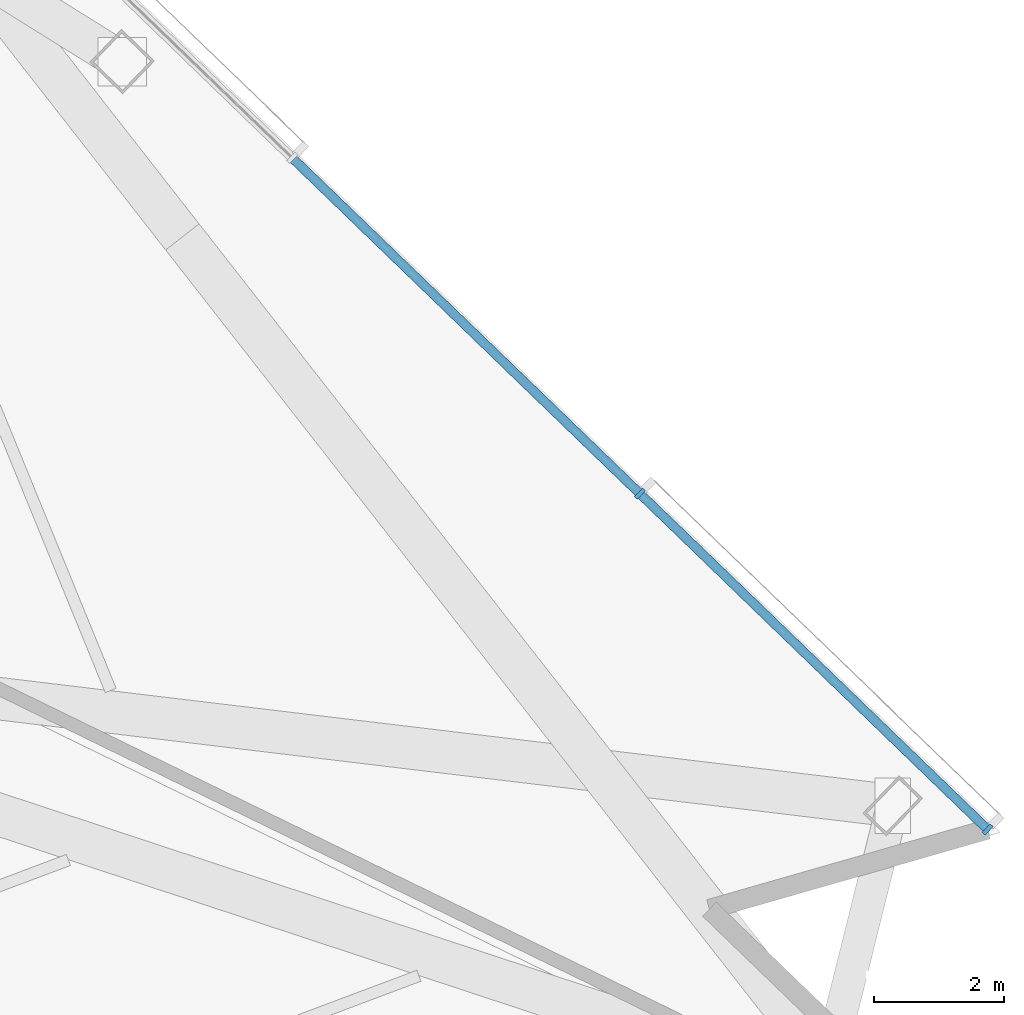
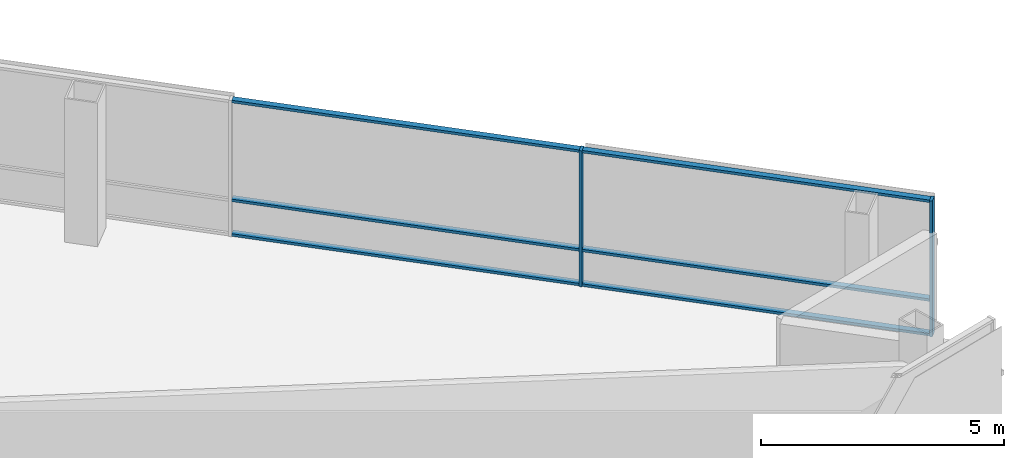
# One storey, part 7 of 21: 8 members, 1 element without a shape of its own.
"""IFC4 building model written with IfcOpenShell, lengths in metres."""

import ifcopenshell
import ifcopenshell.guid

model = None  # the IFC model being written
_history = None  # IfcOwnerHistory: only IFC2X3 demands one
_inside = {}  # id of a spatial element -> (the spatial element, [elements in it])
_under = {}  # id of a project, library or spatial element -> (it, [spatial elements below it])
_declared = {}  # id of a project -> (the project, [libraries it declares])
_typed = {}  # id of a type object -> (the type object, [elements of that type])
_made_of = {}  # id of a material, layer set ... -> (it, [elements and type objects made of it])


def new_model(schema):
    """Start an empty IFC model of exactly this schema.

    Asked for "IFC4X3", IfcOpenShell would pick the latest addendum, in which some entities
    have other attributes; the version numbers below select the first issue.
    IFC2X3 requires an IfcOwnerHistory on every rooted entity: one is made here for all.
    """
    global model, _history
    if schema == "IFC4X3":
        model = ifcopenshell.file(schema_version=(4, 3, 0, 0))
    else:
        model = ifcopenshell.file(schema=schema)
    _inside.clear()
    _under.clear()
    _declared.clear()
    _typed.clear()
    _made_of.clear()
    _history = None
    if model.schema == "IFC2X3":
        org = make("IfcOrganization", Name="unknown")
        user = make(
            "IfcPersonAndOrganization",
            ThePerson=make("IfcPerson", FamilyName="unknown"),
            TheOrganization=org,
        )
        app = make(
            "IfcApplication",
            ApplicationDeveloper=org,
            Version="unknown",
            ApplicationFullName="unknown",
            ApplicationIdentifier="unknown",
        )
        _history = make(
            "IfcOwnerHistory",
            OwningUser=user,
            OwningApplication=app,
            ChangeAction="ADDED",
            CreationDate=0,
        )
    return model


def make(cls, **values):
    """One entity of the class cls with the attributes given. An attribute that is None is left unset."""
    return model.create_entity(
        cls, **{name: value for name, value in values.items() if value is not None}
    )


def rooted(cls, **values):
    """An entity with a GlobalId (a new one), such as an element, a storey or a relation."""
    return make(cls, GlobalId=ifcopenshell.guid.new(), OwnerHistory=_history, **values)


def si_unit(unit_type, name, prefix=None):
    """IfcSIUnit, for example si_unit("LENGTHUNIT", "METRE", prefix="MILLI")."""
    return make("IfcSIUnit", UnitType=unit_type, Prefix=prefix, Name=name)


def assignment(units):
    """IfcUnitAssignment: the units of a project."""
    return None if units is None else make("IfcUnitAssignment", Units=units)


def point(xyz):
    """IfcCartesianPoint."""
    return None if xyz is None else make("IfcCartesianPoint", Coordinates=xyz)


def direction(xyz):
    """IfcDirection."""
    return None if xyz is None else make("IfcDirection", DirectionRatios=xyz)


def frame(location, z_axis=None, x_axis=None):
    """IfcAxis2Placement3D, a coordinate frame: its origin and axes. An axis left out is left unset."""
    return make(
        "IfcAxis2Placement3D",
        Location=point(location),
        Axis=direction(z_axis),
        RefDirection=direction(x_axis),
    )


def frame_2d(location, x_axis=None):
    """IfcAxis2Placement2D, a coordinate frame in the plane: its origin and x axis."""
    return make(
        "IfcAxis2Placement2D", Location=point(location), RefDirection=direction(x_axis)
    )


def origin():
    """The frame at (0, 0, 0) with its axes left unset."""
    return frame((0.0, 0.0, 0.0))


def origin_2d():
    """The frame at (0, 0) in the plane with its x axis left unset."""
    return frame_2d((0.0, 0.0))


def place(relative_to, where):
    """IfcLocalPlacement: puts the frame where relative to a parent placement (None: the world)."""
    return make(
        "IfcLocalPlacement", PlacementRelTo=relative_to, RelativePlacement=where
    )


def context(
    kind, dimensions, precision=None, world=None, true_north=None, identifier=None
):
    """IfcGeometricRepresentationContext, for example the 3D "Model" context."""
    return make(
        "IfcGeometricRepresentationContext",
        ContextIdentifier=identifier,
        ContextType=kind,
        CoordinateSpaceDimension=dimensions,
        Precision=precision,
        WorldCoordinateSystem=world,
        TrueNorth=true_north,
    )


def subcontext(parent, identifier, kind, view, scale=None):
    """IfcGeometricRepresentationSubContext, for example "Body" below "Model"."""
    return make(
        "IfcGeometricRepresentationSubContext",
        ContextIdentifier=identifier,
        ContextType=kind,
        ParentContext=parent,
        TargetScale=scale,
        TargetView=view,
    )


def project(units=None, contexts=None):
    """IfcProject with its units and contexts."""
    return rooted(
        "IfcProject",
        Name="project",
        RepresentationContexts=contexts,
        UnitsInContext=assignment(units),
    )


def spatial(cls, under=None, at=None, **own):
    """A site, building, storey or space (cls), placed at a placement, below another one or the project."""
    s = rooted(cls, ObjectPlacement=at, **own)
    if under is not None:
        _under.setdefault(under.id(), (under, []))[1].append(s)
    return s


def profile(cls, at=None, kind="AREA", **sizes):
    """A parametric profile (cls). Its sizes go by their IFC names, for example OverallWidth=200.0."""
    return make(cls, ProfileType=kind, Position=at, **sizes)


def rectangle(**sizes):
    """IfcRectangleProfileDef."""
    return profile("IfcRectangleProfileDef", **sizes)


def extrude(swept, where, along, depth):
    """IfcExtrudedAreaSolid: the profile swept, set in the frame where, extruded along a direction by depth."""
    return make(
        "IfcExtrudedAreaSolid",
        SweptArea=swept,
        Position=where,
        ExtrudedDirection=direction(along),
        Depth=depth,
    )


def shape(context_of_items, identifier, shape_type, items):
    """IfcShapeRepresentation: the items that make up one representation, for example the "Body"."""
    return make(
        "IfcShapeRepresentation",
        ContextOfItems=context_of_items,
        RepresentationIdentifier=identifier,
        RepresentationType=shape_type,
        Items=items,
    )


def material(Name=None, Category=None):
    """IfcMaterial."""
    return make("IfcMaterial", Name=Name, Category=Category)


def layer(
    of_material, thickness, ventilated=None, Name=None, Category=None, Priority=None
):
    """IfcMaterialLayer: one layer of a wall or slab, of a material (None: an air gap)."""
    return make(
        "IfcMaterialLayer",
        Material=of_material,
        LayerThickness=thickness,
        IsVentilated=ventilated,
        Name=Name,
        Category=Category,
        Priority=Priority,
    )


def layer_set(layers, Name=None):
    """IfcMaterialLayerSet."""
    return make("IfcMaterialLayerSet", MaterialLayers=layers, LayerSetName=Name)


def made_of(thing, what):
    """Note that an element or type object is made of a material, layer set ...; save() writes the relation."""
    if what is not None:
        _made_of.setdefault(what.id(), (what, []))[1].append(thing)
    return thing


def type_object(cls, material=None, **own):
    """A type object (cls), such as IfcWallType, which elements share."""
    return made_of(rooted(cls, **own), material)


def element(
    cls,
    number,
    at=None,
    inside=None,
    cuts=None,
    type_object=None,
    material=None,
    context=None,
    identifier="Body",
    shape_type=None,
    held_by="IfcProductDefinitionShape",
    body=None,
    shapes=None,
    **own,
):
    """One element of the class cls, such as IfcWall. Its Tag is "e" and its number.

    at: its placement. inside: the storey or other place that contains it. cuts: it is an
    opening in that element (IfcRelVoidsElement). A single representation is given by context,
    identifier, shape_type and body (its items); several are given by shapes. held_by: the class
    of the entity that holds the representations. save() writes the other relations.
    """
    e = rooted(cls, Tag="e%d" % number, ObjectPlacement=at, **own)
    if body is not None:
        shapes = [shape(context, identifier, shape_type, body)]
    if shapes is not None:
        e.Representation = make(held_by, Representations=shapes)
    if inside is not None:
        _inside.setdefault(inside.id(), (inside, []))[1].append(e)
    if cuts is not None:
        rooted(
            "IfcRelVoidsElement", RelatingBuildingElement=cuts, RelatedOpeningElement=e
        )
    if type_object is not None:
        _typed.setdefault(type_object.id(), (type_object, []))[1].append(e)
    return made_of(e, material)


def aggregate(whole, parts):
    """IfcRelAggregates: a whole, such as a stair, and the parts it consists of."""
    return rooted("IfcRelAggregates", RelatingObject=whole, RelatedObjects=parts)


def save(model, path):
    """Write the relations noted so far, then the file.

    IfcRelAggregates (storeys below a building ...), IfcRelContainedInSpatialStructure (elements
    in a storey), IfcRelDefinesByType, IfcRelAssociatesMaterial and IfcRelDeclares: one each for
    every whole, place, type object, material and project.
    """
    for whole, parts in _under.values():
        aggregate(whole, parts)
    for where, things in _inside.values():
        rooted(
            "IfcRelContainedInSpatialStructure",
            RelatedElements=things,
            RelatingStructure=where,
        )
    for kind, things in _typed.values():
        rooted("IfcRelDefinesByType", RelatedObjects=things, RelatingType=kind)
    for what, things in _made_of.values():
        rooted("IfcRelAssociatesMaterial", RelatedObjects=things, RelatingMaterial=what)
    for by, libraries in _declared.values():
        rooted("IfcRelDeclares", RelatingContext=by, RelatedDefinitions=libraries)
    model.write(path)


model = new_model("IFC4")

# Units and contexts
model_context = context("Model", 3, precision=1e-05, world=origin(), true_north=direction((0.0, 1.0)))
body_context = subcontext(model_context, "Body", "Model", "MODEL_VIEW")
ifc_project = project(units=[si_unit("LENGTHUNIT", "METRE"), si_unit("AREAUNIT", "SQUARE_METRE"), si_unit("VOLUMEUNIT", "CUBIC_METRE"), si_unit("PLANEANGLEUNIT", "RADIAN"), si_unit("MASSUNIT", "GRAM", prefix="KILO")], contexts=[model_context])

# Site, building, storey
site_placement = place(None, origin())
site = spatial("IfcSite", under=ifc_project, at=site_placement, CompositionType="ELEMENT")
building_placement = place(site_placement, origin())
building = spatial("IfcBuilding", under=site, at=building_placement, Name="Tharavind Bronze Gate", CompositionType="ELEMENT")
storey_placement = place(building_placement, frame((0.0, 0.0, 86.10009765625)))
storey = spatial("IfcBuildingStorey", under=building, at=storey_placement, Name="L21", CompositionType="ELEMENT", Elevation=86.10009765625)

# Curtain wall, members
ifc_material = material(Name="Anodised Bronze Aluminium", Category="aluminium")
ifc_layer = layer(ifc_material, 0.219970703125)
ifc_layer_set = layer_set([ifc_layer], Name="Anodised Bronze Aluminium")
curtain_wall_type = type_object("IfcCurtainWallType", Name="UNITISED CURTAIN WALL LOWER OFFICE", PredefinedType="USERDEFINED", material=ifc_layer_set)
curtain_wall_placement = place(storey_placement, origin())
curtain_wall = element("IfcCurtainWall", 1, at=curtain_wall_placement, inside=storey, type_object=curtain_wall_type, Name="L21 unitised curtain wall lower office CW-L21-S3", ObjectType="UNITISED CURTAIN WALL", PredefinedType="USERDEFINED")
member_type_1 = type_object("IfcMemberType", Name="CURTAIN WALL BRONZE MULLION 65X180", PredefinedType="MULLION", material=ifc_material)
member_1_placement = place(storey_placement, frame((32.512939453125, -10.618408203125, 0.0), z_axis=(0.0, 0.0, 1.0), x_axis=(-0.719341012745, 0.694657114973, 0.0)))
member_1 = element("IfcMember", 2, at=member_1_placement, type_object=member_type_1, Name="CW-L21-S3 mullion 1", PredefinedType="MULLION", context=body_context, shape_type="SweptSolid", body=[
    extrude(rectangle(XDim=0.06494140625, YDim=0.179931640625, at=origin_2d()), origin(), (0.0, 0.0, 1.0), 3.409912109375),
])
member_2_placement = place(storey_placement, frame((27.1796875, -5.468017578125, 0.0), z_axis=(0.0, 0.0, 1.0), x_axis=(-0.719341012745, 0.694657114973, 0.0)))
member_2 = element("IfcMember", 3, at=member_2_placement, type_object=member_type_1, Name="CW-L21-S3 mullion 2", PredefinedType="MULLION", context=body_context, shape_type="SweptSolid", body=[
    extrude(rectangle(XDim=0.06494140625, YDim=0.179931640625, at=origin_2d()), origin(), (0.0, 0.0, 1.0), 3.409912109375),
])
member_type_2 = type_object("IfcMemberType", Name="CURTAIN WALL BRONZE TRANSOM 65X140", PredefinedType="USERDEFINED", material=ifc_material)
member_3_placement = place(storey_placement, frame((29.84619140625, -8.043212890625, 0.0), z_axis=(0.0, 0.0, 1.0), x_axis=(-0.719341012745, 0.694657114973, 0.0)))
member_3 = element("IfcMember", 4, at=member_3_placement, type_object=member_type_2, Name="CW-L21-S3 transom TB1", ObjectType="TRANSOM", PredefinedType="USERDEFINED", context=body_context, shape_type="SweptSolid", body=[
    extrude(rectangle(XDim=7.361083984375, YDim=0.139892578125, at=origin_2d()), origin(), (0.0, 0.0, 1.0), 0.06494140625),
])
member_4_placement = place(storey_placement, frame((29.84619140625, -8.043212890625, 0.867431640625), z_axis=(0.0, 0.0, 1.0), x_axis=(-0.719341012745, 0.694657114973, 0.0)))
member_4 = element("IfcMember", 5, at=member_4_placement, type_object=member_type_2, Name="CW-L21-S3 transom TS1", ObjectType="TRANSOM", PredefinedType="USERDEFINED", context=body_context, shape_type="SweptSolid", body=[
    extrude(rectangle(XDim=7.361083984375, YDim=0.139892578125, at=origin_2d()), origin(), (0.0, 0.0, 1.0), 0.06494140625),
])
member_5_placement = place(storey_placement, frame((29.84619140625, -8.043212890625, 3.344970703125), z_axis=(0.0, 0.0, 1.0), x_axis=(-0.719341012745, 0.694657114973, 0.0)))
member_5 = element("IfcMember", 6, at=member_5_placement, type_object=member_type_2, Name="CW-L21-S3 transom TT1", ObjectType="TRANSOM", PredefinedType="USERDEFINED", context=body_context, shape_type="SweptSolid", body=[
    extrude(rectangle(XDim=7.361083984375, YDim=0.139892578125, at=origin_2d()), origin(), (0.0, 0.0, 1.0), 0.06494140625),
])
member_6_placement = place(storey_placement, frame((24.512939453125, -2.892822265625, 0.0), z_axis=(0.0, 0.0, 1.0), x_axis=(-0.719341012745, 0.694657114973, 0.0)))
member_6 = element("IfcMember", 7, at=member_6_placement, type_object=member_type_2, Name="CW-L21-S3 transom TB2", ObjectType="TRANSOM", PredefinedType="USERDEFINED", context=body_context, shape_type="SweptSolid", body=[
    extrude(rectangle(XDim=7.361083984375, YDim=0.139892578125, at=origin_2d()), origin(), (0.0, 0.0, 1.0), 0.06494140625),
])
member_7_placement = place(storey_placement, frame((24.512939453125, -2.892822265625, 0.867431640625), z_axis=(0.0, 0.0, 1.0), x_axis=(-0.719341012745, 0.694657114973, 0.0)))
member_7 = element("IfcMember", 8, at=member_7_placement, type_object=member_type_2, Name="CW-L21-S3 transom TS2", ObjectType="TRANSOM", PredefinedType="USERDEFINED", context=body_context, shape_type="SweptSolid", body=[
    extrude(rectangle(XDim=7.361083984375, YDim=0.139892578125, at=origin_2d()), origin(), (0.0, 0.0, 1.0), 0.06494140625),
])
member_8_placement = place(storey_placement, frame((24.512939453125, -2.892822265625, 3.344970703125), z_axis=(0.0, 0.0, 1.0), x_axis=(-0.719341012745, 0.694657114973, 0.0)))
member_8 = element("IfcMember", 9, at=member_8_placement, type_object=member_type_2, Name="CW-L21-S3 transom TT2", ObjectType="TRANSOM", PredefinedType="USERDEFINED", context=body_context, shape_type="SweptSolid", body=[
    extrude(rectangle(XDim=7.361083984375, YDim=0.139892578125, at=origin_2d()), origin(), (0.0, 0.0, 1.0), 0.06494140625),
])
aggregate(curtain_wall, [member_1, member_2, member_3, member_4, member_5, member_6, member_7, member_8])

save(model, "model.ifc")
